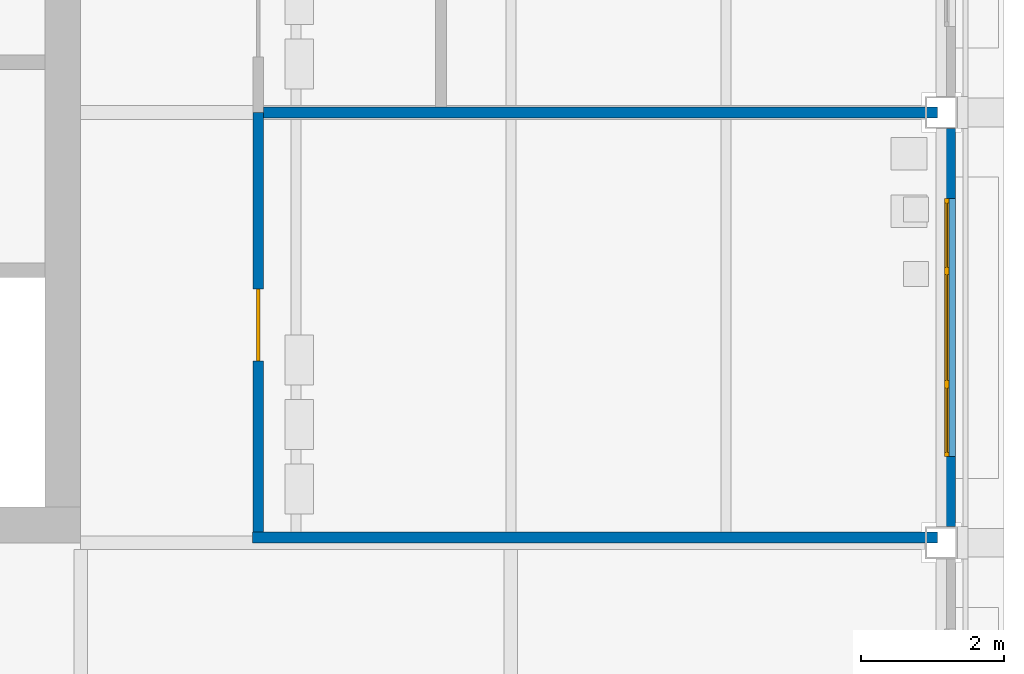
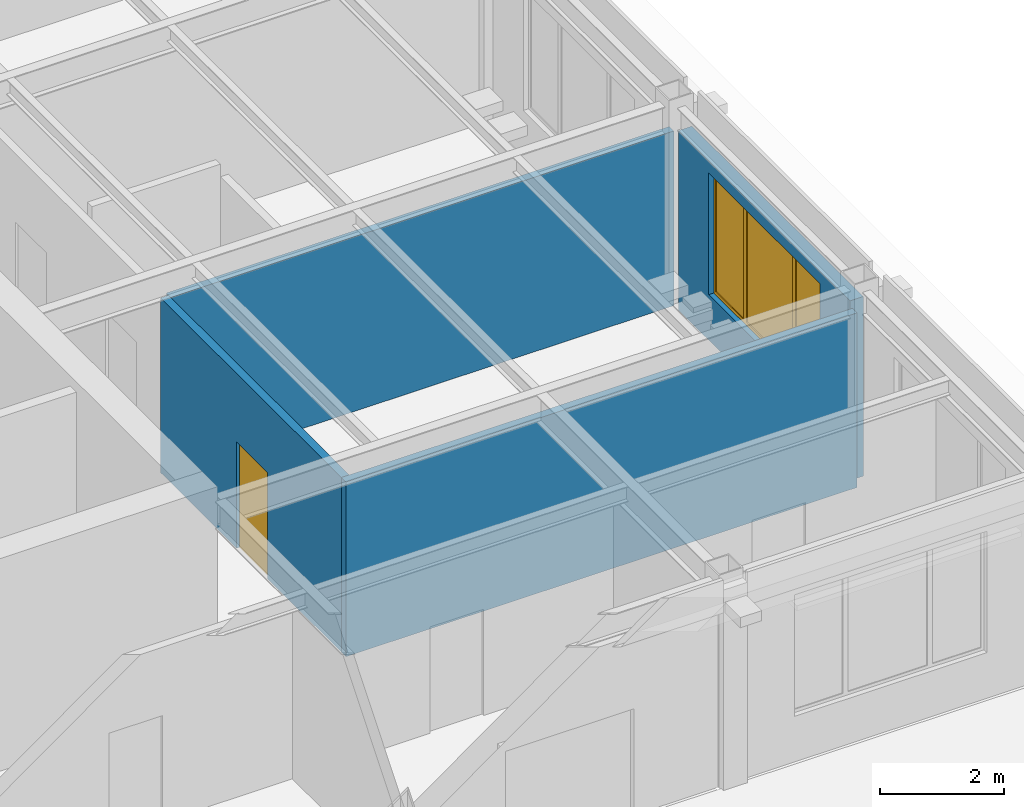
# One storey, part 60 of 82: 4 walls, 1 door, 1 window, 2 openings.
"""IFC4 building model written with IfcOpenShell, lengths in metres."""

from ifc_helpers import new_model, si_unit, direction, frame, frame_2d, origin, place, context, subcontext, project, spatial, polyline, rectangle, outline, extrude, material, layer, layer_set, type_object, element, fill, save


model = new_model("IFC4")

# Units and contexts
model_context = context("Model", 3, precision=1e-05, world=origin(), true_north=direction((0.0, 1.0)))
body_context = subcontext(model_context, "Body", "Model", "MODEL_VIEW")
ifc_project = project(units=[si_unit("LENGTHUNIT", "METRE"), si_unit("AREAUNIT", "SQUARE_METRE"), si_unit("VOLUMEUNIT", "CUBIC_METRE"), si_unit("PLANEANGLEUNIT", "RADIAN"), si_unit("MASSUNIT", "GRAM", prefix="KILO")], contexts=[model_context])

# Site, building, storey
site_placement = place(None, origin())
site = spatial("IfcSite", under=ifc_project, at=site_placement, CompositionType="ELEMENT")
building_placement = place(site_placement, origin())
building = spatial("IfcBuilding", under=site, at=building_placement, Name="Aravalli Gate Trade Fair Centre", CompositionType="ELEMENT")
storey_placement = place(building_placement, frame((0.0, 0.0, 19.199951171875)))
storey = spatial("IfcBuildingStorey", under=building, at=storey_placement, Name="L04", CompositionType="ELEMENT", Elevation=19.199951171875)

# Wall, opening, door
ifc_material_1 = material(Name="Blockwork with fire-rated lining", Category="masonry")
ifc_layer_1 = layer(ifc_material_1, 0.14990234375)
ifc_layer_set_1 = layer_set([ifc_layer_1], Name="Blockwork with fire-rated lining")
wall_type_1 = type_object("IfcWallType", Name="Wing partition 150 (EI 60, corridor wall)", PredefinedType="PARTITIONING", material=ifc_layer_set_1)
wall_1_placement = place(storey_placement, frame((192.47509765625, 103.14990234375, 0.0), z_axis=(0.0, 0.0, 1.0), x_axis=(0.0, 1.0, 0.0)))
wall_1 = element("IfcWall", 1, at=wall_1_placement, inside=storey, type_object=wall_type_1, Name="Partition EW1 L04", PredefinedType="PARTITIONING", context=body_context, shape_type="SweptSolid", body=[
    extrude(rectangle(XDim=5.85009765625, YDim=0.14990234375, at=frame_2d((2.925048828125, 0.0))), origin(), (0.0, 0.0, 1.0), 3.449951171875),
])
opening_1_placement = place(wall_1_placement, frame((2.387451171875, 0.0, 0.0)))
opening_1 = element("IfcOpeningElement", 2, at=opening_1_placement, cuts=wall_1, Name="Opening T-L04-157", PredefinedType="OPENING", context=body_context, shape_type="SweptSolid", body=[
    extrude(rectangle(XDim=1.0, YDim=2.10009765625, at=frame_2d((0.5, 1.050048828125))), frame((0.0, 0.0849609375, 0.0), z_axis=(0.0, -1.0, 0.0), x_axis=(1.0, 0.0, 0.0)), (0.0, 0.0, 1.0), 0.169921875),
])
ifc_material_2 = material(Name="Steel, fire rated", Category="steel")
door_type = type_object("IfcDoorType", Name="Wing fire door FD60 1000 x 2100", OperationType="SINGLE_SWING_LEFT", PredefinedType="DOOR", material=ifc_material_2)
door_placement = place(opening_1_placement, frame((1.0, 0.0, 0.0), z_axis=(0.0, 0.0, 1.0), x_axis=(-1.0, 0.0, 0.0)))
door = element("IfcDoor", 3, at=door_placement, inside=storey, type_object=door_type, Name="Door T-L04-157", OperationType="SINGLE_SWING_RIGHT", OverallHeight=2.10009765625, OverallWidth=1.0, PredefinedType="DOOR", context=body_context, shape_type="SweptSolid", body=[
    extrude(rectangle(XDim=1.0, YDim=2.10009765625, at=frame_2d((0.5, 1.050048828125))), frame((0.0, 0.02490234375, 0.0), z_axis=(0.0, -1.0, 0.0), x_axis=(1.0, 0.0, 0.0)), (0.0, 0.0, 1.0), 0.050048828125),
])
fill(opening_1, door)

# Walls
wall_2_placement = place(storey_placement, frame((192.550048828125, 109.0, 0.0), z_axis=(0.0, 0.0, 1.0), x_axis=(1.0, 0.0, 0.0)))
element("IfcWall", 4, at=wall_2_placement, inside=storey, type_object=wall_type_1, Name="Partition EP1 L04", PredefinedType="PARTITIONING", context=body_context, shape_type="SweptSolid", body=[
    extrude(rectangle(XDim=9.39990234375, YDim=0.14990234375, at=frame_2d((4.699951171875, 0.0))), origin(), (0.0, 0.0, 1.0), 3.449951171875),
])
wall_3_placement = place(storey_placement, frame((192.39990234375, 103.074951171875, 0.0), z_axis=(0.0, 0.0, 1.0), x_axis=(1.0, 0.0, 0.0)))
element("IfcWall", 5, at=wall_3_placement, inside=storey, type_object=wall_type_1, Name="Partition CL-SE L04", PredefinedType="PARTITIONING", context=body_context, shape_type="SweptSolid", body=[
    extrude(rectangle(XDim=9.550048828125, YDim=0.14990234375, at=frame_2d((4.77490234375, 0.0))), origin(), (0.0, 0.0, 1.0), 3.449951171875),
])

# Wall, opening, window
ifc_material_3 = material(Name="Concrete block masonry", Category="masonry")
ifc_layer_2 = layer(ifc_material_3, 0.2099609375, Name="Block masonry")
ifc_material_4 = material(Name="Terracotta cladding", Category="masonry")
ifc_layer_3 = layer(ifc_material_4, 0.0400390625, Name="Terracotta cladding")
ifc_layer_set_2 = layer_set([ifc_layer_2, ifc_layer_3], Name="Wing terracotta clad infill wall 250")
wall_type_2 = type_object("IfcWallType", Name="Wing terracotta clad infill wall 250", PredefinedType="SOLIDWALL", material=ifc_layer_set_2)
wall_4_placement = place(storey_placement, frame((202.074951171875, 103.22509765625, 0.0), z_axis=(0.0, 0.0, 1.0), x_axis=(0.0, 1.0, 0.0)))
wall_4 = element("IfcWall", 6, at=wall_4_placement, inside=storey, type_object=wall_type_2, Name="Facade wall E2 L04", PredefinedType="SOLIDWALL", context=body_context, shape_type="SweptSolid", body=[
    extrude(rectangle(XDim=5.5498046875, YDim=0.25, at=frame_2d((2.77490234375, 0.0))), origin(), (0.0, 0.0, 1.0), 3.550048828125),
])
opening_2_placement = place(wall_4_placement, frame((0.97509765625, 0.0, 0.89990234375)))
opening_2 = element("IfcOpeningElement", 7, at=opening_2_placement, cuts=wall_4, Name="Opening TWN1", PredefinedType="OPENING", context=body_context, shape_type="SweptSolid", body=[
    extrude(rectangle(XDim=3.60009765625, YDim=2.39990234375, at=frame_2d((1.800048828125, 1.199951171875))), frame((0.0, 0.135009765625, 0.0), z_axis=(0.0, -1.0, 0.0), x_axis=(1.0, 0.0, 0.0)), (0.0, 0.0, 1.0), 0.27001953125),
])
ifc_material_5 = material(Name="Aluminium and glass", Category="aluminium")
window_type = type_object("IfcWindowType", Name="Wing chicago window 3600 x 2400", PartitioningType="TRIPLE_PANEL_VERTICAL", PredefinedType="WINDOW", material=ifc_material_5)
window_placement = place(opening_2_placement, origin())
window = element("IfcWindow", 8, at=window_placement, inside=storey, type_object=window_type, Name="Window E2 L04", OverallHeight=2.39990234375, OverallWidth=3.60009765625, PartitioningType="TRIPLE_PANEL_VERTICAL", PredefinedType="WINDOW", context=body_context, shape_type="SweptSolid", body=[
    extrude(outline(polyline([(0.0, 0.0), (3.60009765625, 0.0), (3.60009765625, 2.39990234375), (0.0, 2.39990234375), (0.0, 0.0)]), holes=[polyline([(0.06005859375, 0.06005859375), (0.9599609375, 0.06005859375), (0.9599609375, 2.33984375), (0.06005859375, 2.33984375), (0.06005859375, 0.06005859375)]), polyline([(1.06005859375, 0.06005859375), (2.539794921875, 0.06005859375), (2.539794921875, 2.33984375), (1.06005859375, 2.33984375), (1.06005859375, 0.06005859375)]), polyline([(2.639892578125, 0.06005859375), (3.539794921875, 0.06005859375), (3.539794921875, 2.33984375), (2.639892578125, 2.33984375), (2.639892578125, 0.06005859375)])]), frame((0.0, 0.030029296875, 0.0), z_axis=(0.0, -1.0, 0.0), x_axis=(1.0, 0.0, 0.0)), (0.0, 0.0, 1.0), 0.06005859375),
    extrude(rectangle(XDim=0.923828125, YDim=2.3037109375, at=frame_2d((0.510009765625, 1.199951171875))), frame((0.0, 0.010009765625, 0.0), z_axis=(0.0, -1.0, 0.0), x_axis=(1.0, 0.0, 0.0)), (0.0, 0.0, 1.0), 0.02001953125),
    extrude(rectangle(XDim=1.503662109375, YDim=2.3037109375, at=frame_2d((1.7998046875, 1.199951171875))), frame((0.0, 0.010009765625, 0.0), z_axis=(0.0, -1.0, 0.0), x_axis=(1.0, 0.0, 0.0)), (0.0, 0.0, 1.0), 0.02001953125),
    extrude(rectangle(XDim=0.923828125, YDim=2.3037109375, at=frame_2d((3.08984375, 1.199951171875))), frame((0.0, 0.010009765625, 0.0), z_axis=(0.0, -1.0, 0.0), x_axis=(1.0, 0.0, 0.0)), (0.0, 0.0, 1.0), 0.02001953125),
])
fill(opening_2, window)

save(model, "model.ifc")
